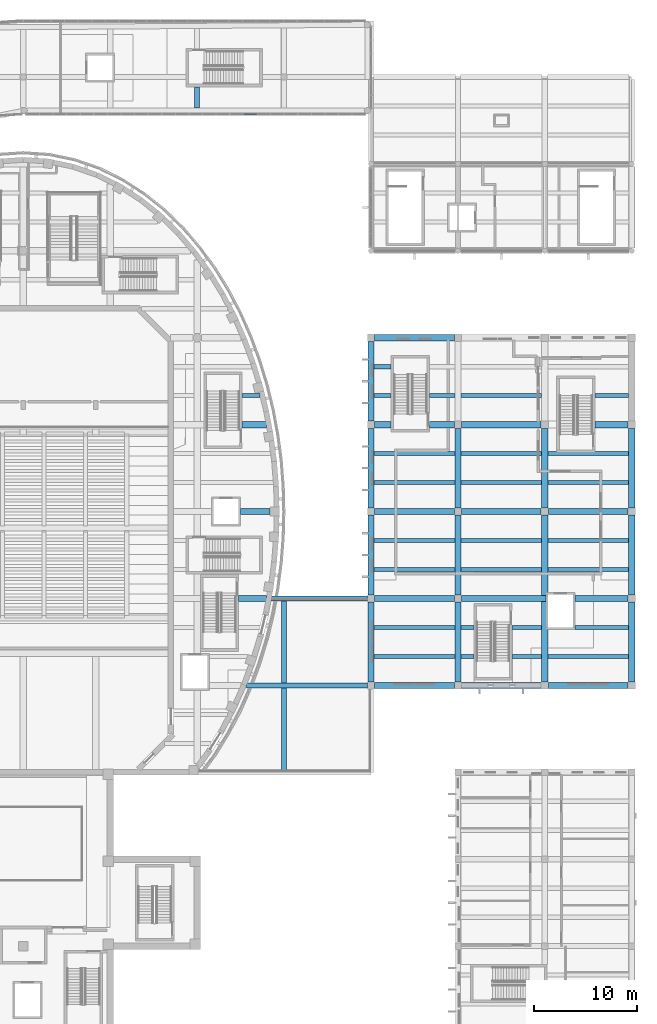
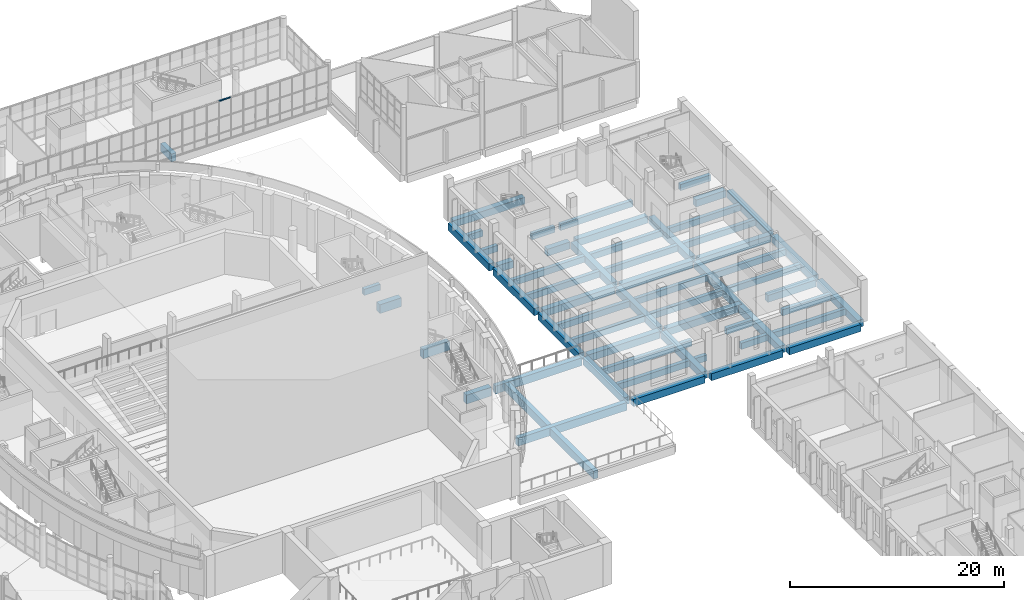
# One storey, part 31 of 119: 59 beams, 1 member, 1 element without a shape of its own.
"""IFC4 building model written with IfcOpenShell, lengths in metres."""

from ifc_helpers import new_model, si_unit, direction, frame, origin, origin_2d, place, context, subcontext, project, spatial, rectangle, extrude, material, layer, layer_set, material_profile, profile_set, type_object, element, aggregate, save


model = new_model("IFC4")

# Units and contexts
model_context = context("Model", 3, precision=1e-05, world=origin(), true_north=direction((0.0, 1.0)))
body_context = subcontext(model_context, "Body", "Model", "MODEL_VIEW")
ifc_project = project(units=[si_unit("LENGTHUNIT", "METRE"), si_unit("AREAUNIT", "SQUARE_METRE"), si_unit("VOLUMEUNIT", "CUBIC_METRE"), si_unit("PLANEANGLEUNIT", "RADIAN"), si_unit("MASSUNIT", "GRAM", prefix="KILO")], contexts=[model_context])

# Site, building, storey
site_placement = place(None, origin())
site = spatial("IfcSite", under=ifc_project, at=site_placement, CompositionType="ELEMENT")
building_placement = place(site_placement, origin())
building = spatial("IfcBuilding", under=site, at=building_placement, Name="Larchfold Concert Hall", CompositionType="ELEMENT")
storey_placement = place(building_placement, frame((0.0, 0.0, 4.800048828125)))
storey = spatial("IfcBuildingStorey", under=building, at=storey_placement, Name="L01", CompositionType="ELEMENT", Elevation=4.800048828125)

# Curtain wall, member
ifc_material_1 = material(Name="Anodised graphite aluminium curtain wall", Category="aluminium")
ifc_layer = layer(ifc_material_1, 0.14990234375)
ifc_layer_set = layer_set([ifc_layer], Name="Anodised graphite aluminium curtain wall")
curtain_wall_type = type_object("IfcCurtainWallType", Name="Curtain wall WG", PredefinedType="NOTDEFINED", material=ifc_layer_set)
curtain_wall_placement = place(storey_placement, origin())
curtain_wall = element("IfcCurtainWall", 1, at=curtain_wall_placement, inside=storey, type_object=curtain_wall_type, Name="Curtain wall CW0169", PredefinedType="NOTDEFINED")
ifc_material_2 = material(Name="Anodised graphite aluminium transom", Category="aluminium")
ifc_material_profile_1 = material_profile(ifc_material_2, rectangle(XDim=0.10009765625, YDim=0.080078125, at=origin_2d()))
ifc_profile_set_1 = profile_set([ifc_material_profile_1], Name="Anodised graphite aluminium transom")
member_type = type_object("IfcMemberType", Name="Aluminium transom 80x100", PredefinedType="USERDEFINED", material=ifc_profile_set_1)
member_placement = place(storey_placement, frame((63.896240234375, 123.0, 4.60986328125), z_axis=(1.0, 0.0, 0.0), x_axis=(0.0, 1.0, 0.0)))
member = element("IfcMember", 2, at=member_placement, type_object=member_type, Name="CW0169 transom 2.4", ObjectType="TRANSOM", PredefinedType="USERDEFINED", context=body_context, shape_type="SweptSolid", body=[
    extrude(rectangle(XDim=0.10009765625, YDim=0.080078125, at=origin_2d()), origin(), (0.0, 0.0, 1.0), 1.254150390625),
])
aggregate(curtain_wall, [member])

# Beams
ifc_material_3 = material(Name="Concrete C35/45", Category="concrete")
ifc_material_profile_2 = material_profile(ifc_material_3, rectangle(XDim=0.39990234375, YDim=0.699951171875, at=origin_2d()))
ifc_profile_set_2 = profile_set([ifc_material_profile_2], Name="Concrete C35/45")
beam_type_1 = type_object("IfcBeamType", Name="Beam RC 400x700", PredefinedType="BEAM", material=ifc_profile_set_2)
beam_1_placement = place(storey_placement, frame((76.5, 70.60009765625, -0.550048828125), z_axis=(1.0, 0.0, 0.0), x_axis=(0.0, 1.0, 0.0)))
element("IfcBeam", 3, at=beam_1_placement, inside=storey, type_object=beam_type_1, Name="Beam B0934", PredefinedType="BEAM", context=body_context, shape_type="SweptSolid", body=[
    extrude(rectangle(XDim=0.39990234375, YDim=0.699951171875, at=origin_2d()), origin(), (0.0, 0.0, 1.0), 7.800048828125),
])
beam_2_placement = place(storey_placement, frame((84.89990234375, 70.60009765625, -0.550048828125), z_axis=(1.0, 0.0, 0.0), x_axis=(0.0, 1.0, 0.0)))
element("IfcBeam", 4, at=beam_2_placement, inside=storey, type_object=beam_type_1, Name="Beam B0935", PredefinedType="BEAM", context=body_context, shape_type="SweptSolid", body=[
    extrude(rectangle(XDim=0.39990234375, YDim=0.699951171875, at=origin_2d()), origin(), (0.0, 0.0, 1.0), 1.25),
])
beam_3_placement = place(storey_placement, frame((89.85009765625, 70.60009765625, -0.550048828125), z_axis=(1.0, 0.0, 0.0), x_axis=(0.0, 1.0, 0.0)))
element("IfcBeam", 5, at=beam_3_placement, inside=storey, type_object=beam_type_1, Name="Beam B0936", PredefinedType="BEAM", context=body_context, shape_type="SweptSolid", body=[
    extrude(rectangle(XDim=0.39990234375, YDim=0.699951171875, at=origin_2d()), origin(), (0.0, 0.0, 1.0), 2.849853515625),
])
for number, where, z_axis, x_axis, name in (
    (6, (93.300048828125, 70.60009765625, -0.550048828125), (1.0, 0.0, 0.0), (0.0, 1.0, 0.0), "Beam B0937"),
    (7, (76.5, 73.39990234375, -0.550048828125), (1.0, 0.0, 0.0), (0.0, 1.0, 0.0), "Beam B0938"),
):
    element("IfcBeam", number, at=place(storey_placement, frame(where, z_axis=z_axis, x_axis=x_axis)), inside=storey, type_object=beam_type_1, Name=name, PredefinedType="BEAM", context=body_context, shape_type="SweptSolid", body=[
        extrude(rectangle(XDim=0.39990234375, YDim=0.699951171875, at=origin_2d()), origin(), (0.0, 0.0, 1.0), 7.800048828125),
    ])
beam_4_placement = place(storey_placement, frame((84.89990234375, 73.39990234375, -0.550048828125), z_axis=(1.0, 0.0, 0.0), x_axis=(0.0, 1.0, 0.0)))
element("IfcBeam", 8, at=beam_4_placement, inside=storey, type_object=beam_type_1, Name="Beam B0939", PredefinedType="BEAM", context=body_context, shape_type="SweptSolid", body=[
    extrude(rectangle(XDim=0.39990234375, YDim=0.699951171875, at=origin_2d()), origin(), (0.0, 0.0, 1.0), 1.25),
])
beam_5_placement = place(storey_placement, frame((89.85009765625, 73.39990234375, -0.550048828125), z_axis=(1.0, 0.0, 0.0), x_axis=(0.0, 1.0, 0.0)))
element("IfcBeam", 9, at=beam_5_placement, inside=storey, type_object=beam_type_1, Name="Beam B0940", PredefinedType="BEAM", context=body_context, shape_type="SweptSolid", body=[
    extrude(rectangle(XDim=0.39990234375, YDim=0.699951171875, at=origin_2d()), origin(), (0.0, 0.0, 1.0), 2.849853515625),
])
beam_6_placement = place(storey_placement, frame((95.89990234375, 73.39990234375, -0.550048828125), z_axis=(1.0, 0.0, 0.0), x_axis=(0.0, 1.0, 0.0)))
element("IfcBeam", 10, at=beam_6_placement, inside=storey, type_object=beam_type_1, Name="Beam B0941", PredefinedType="BEAM", context=body_context, shape_type="SweptSolid", body=[
    extrude(rectangle(XDim=0.39990234375, YDim=0.699951171875, at=origin_2d()), origin(), (0.0, 0.0, 1.0), 5.2001953125),
])
for number, where, z_axis, x_axis, name in (
    (11, (76.5, 79.0, -0.550048828125), (1.0, 0.0, 0.0), (0.0, 1.0, 0.0), "Beam B0942"),
    (12, (84.89990234375, 79.0, -0.550048828125), (1.0, 0.0, 0.0), (0.0, 1.0, 0.0), "Beam B0943"),
    (13, (93.300048828125, 79.0, -0.550048828125), (1.0, 0.0, 0.0), (0.0, 1.0, 0.0), "Beam B0944"),
    (14, (76.5, 81.800048828125, -0.550048828125), (1.0, 0.0, 0.0), (0.0, 1.0, 0.0), "Beam B0945"),
    (15, (84.89990234375, 81.800048828125, -0.550048828125), (1.0, 0.0, 0.0), (0.0, 1.0, 0.0), "Beam B0946"),
    (16, (93.300048828125, 81.800048828125, -0.550048828125), (1.0, 0.0, 0.0), (0.0, 1.0, 0.0), "Beam B0947"),
    (17, (76.5, 87.39990234375, -0.550048828125), (1.0, 0.0, 0.0), (0.0, 1.0, 0.0), "Beam B0948"),
    (18, (84.89990234375, 87.39990234375, -0.550048828125), (1.0, 0.0, 0.0), (0.0, 1.0, 0.0), "Beam B0949"),
    (19, (93.300048828125, 87.39990234375, -0.550048828125), (1.0, 0.0, 0.0), (0.0, 1.0, 0.0), "Beam B0950"),
    (20, (76.5, 90.199951171875, -0.550048828125), (1.0, 0.0, 0.0), (0.0, 1.0, 0.0), "Beam B0951"),
    (21, (84.89990234375, 90.199951171875, -0.550048828125), (1.0, 0.0, 0.0), (0.0, 1.0, 0.0), "Beam B0952"),
    (22, (93.300048828125, 90.199951171875, -0.550048828125), (1.0, 0.0, 0.0), (0.0, 1.0, 0.0), "Beam B0953"),
):
    element("IfcBeam", number, at=place(storey_placement, frame(where, z_axis=z_axis, x_axis=x_axis)), inside=storey, type_object=beam_type_1, Name=name, PredefinedType="BEAM", context=body_context, shape_type="SweptSolid", body=[
        extrude(rectangle(XDim=0.39990234375, YDim=0.699951171875, at=origin_2d()), origin(), (0.0, 0.0, 1.0), 7.800048828125),
    ])
beam_7_placement = place(storey_placement, frame((76.5, 95.800048828125, -0.550048828125), z_axis=(1.0, 0.0, 0.0), x_axis=(0.0, 1.0, 0.0)))
element("IfcBeam", 23, at=beam_7_placement, inside=storey, type_object=beam_type_1, Name="Beam B0954", PredefinedType="BEAM", context=body_context, shape_type="SweptSolid", body=[
    extrude(rectangle(XDim=0.39990234375, YDim=0.699951171875, at=origin_2d()), origin(), (0.0, 0.0, 1.0), 1.64990234375),
])
beam_8_placement = place(storey_placement, frame((81.85009765625, 95.800048828125, -0.550048828125), z_axis=(1.0, 0.0, 0.0), x_axis=(0.0, 1.0, 0.0)))
element("IfcBeam", 24, at=beam_8_placement, inside=storey, type_object=beam_type_1, Name="Beam B0955", PredefinedType="BEAM", context=body_context, shape_type="SweptSolid", body=[
    extrude(rectangle(XDim=0.39990234375, YDim=0.699951171875, at=origin_2d()), origin(), (0.0, 0.0, 1.0), 2.449951171875),
])
beam_9_placement = place(storey_placement, frame((84.89990234375, 95.800048828125, -0.550048828125), z_axis=(1.0, 0.0, 0.0), x_axis=(0.0, 1.0, 0.0)))
element("IfcBeam", 25, at=beam_9_placement, inside=storey, type_object=beam_type_1, Name="Beam B0956", PredefinedType="BEAM", context=body_context, shape_type="SweptSolid", body=[
    extrude(rectangle(XDim=0.39990234375, YDim=0.699951171875, at=origin_2d()), origin(), (0.0, 0.0, 1.0), 7.800048828125),
])
beam_10_placement = place(storey_placement, frame((97.85009765625, 95.800048828125, -0.550048828125), z_axis=(1.0, 0.0, 0.0), x_axis=(0.0, 1.0, 0.0)))
element("IfcBeam", 26, at=beam_10_placement, inside=storey, type_object=beam_type_1, Name="Beam B0957", PredefinedType="BEAM", context=body_context, shape_type="SweptSolid", body=[
    extrude(rectangle(XDim=0.39990234375, YDim=0.699951171875, at=origin_2d()), origin(), (0.0, 0.0, 1.0), 3.25),
])
beam_11_placement = place(storey_placement, frame((76.5, 98.60009765625, -0.550048828125), z_axis=(1.0, 0.0, 0.0), x_axis=(0.0, 1.0, 0.0)))
element("IfcBeam", 27, at=beam_11_placement, inside=storey, type_object=beam_type_1, Name="Beam B0958", PredefinedType="BEAM", context=body_context, shape_type="SweptSolid", body=[
    extrude(rectangle(XDim=0.39990234375, YDim=0.699951171875, at=origin_2d()), origin(), (0.0, 0.0, 1.0), 1.64990234375),
])
beam_12_placement = place(storey_placement, frame((63.75, 95.800048828125, -0.550048828125), z_axis=(1.0, 0.0, 0.0), x_axis=(0.0, 1.0, 0.0)))
element("IfcBeam", 28, at=beam_12_placement, inside=storey, type_object=beam_type_1, Name="Beam B1248", PredefinedType="BEAM", context=body_context, shape_type="SweptSolid", body=[
    extrude(rectangle(XDim=0.39990234375, YDim=0.699951171875, at=origin_2d()), origin(), (0.0, 0.0, 1.0), 1.72998046875),
])
ifc_material_4 = material(Name="Concrete C35/45", Category="concrete")
ifc_material_profile_3 = material_profile(ifc_material_4, rectangle(XDim=0.5, YDim=0.89990234375, at=origin_2d()))
ifc_profile_set_3 = profile_set([ifc_material_profile_3], Name="Concrete C35/45")
beam_type_2 = type_object("IfcBeamType", Name="Beam RC 500x900", PredefinedType="BEAM", material=ifc_profile_set_3)
beam_13_placement = place(storey_placement, frame((67.800048828125, 59.3798828125, -0.75), z_axis=(0.0, 1.0, 0.0), x_axis=(-1.0, 0.0, 0.0)))
element("IfcBeam", 29, at=beam_13_placement, inside=storey, type_object=beam_type_2, Name="Beam B1856", PredefinedType="BEAM", context=body_context, shape_type="SweptSolid", body=[
    extrude(rectangle(XDim=0.5, YDim=0.89990234375, at=origin_2d()), origin(), (0.0, 0.0, 1.0), 16.840087890625),
])
beam_14_placement = place(storey_placement, frame((64.147705078125, 67.800048828125, -0.75), z_axis=(1.0, 0.0, 0.0), x_axis=(0.0, 1.0, 0.0)))
element("IfcBeam", 30, at=beam_14_placement, inside=storey, type_object=beam_type_2, Name="Beam B1860", PredefinedType="BEAM", context=body_context, shape_type="SweptSolid", body=[
    extrude(rectangle(XDim=0.5, YDim=0.89990234375, at=origin_2d()), origin(), (0.0, 0.0, 1.0), 11.702392578125),
])
beam_15_placement = place(storey_placement, frame((66.557861328125, 76.199951171875, -0.75), z_axis=(1.0, 0.0, 0.0), x_axis=(0.0, 1.0, 0.0)))
element("IfcBeam", 31, at=beam_15_placement, inside=storey, type_object=beam_type_2, Name="Beam B1861", PredefinedType="BEAM", context=body_context, shape_type="SweptSolid", body=[
    extrude(rectangle(XDim=0.5, YDim=0.89990234375, at=origin_2d()), origin(), (0.0, 0.0, 1.0), 9.292236328125),
])
beam_16_placement = place(storey_placement, frame((59.39990234375, 123.60009765625, -0.60009765625), z_axis=(0.0, 1.0, 0.0), x_axis=(-1.0, 0.0, 0.0)))
element("IfcBeam", 32, at=beam_16_placement, inside=storey, type_object=beam_type_2, Name="Beam B1907", PredefinedType="BEAM", context=body_context, shape_type="SweptSolid", body=[
    extrude(rectangle(XDim=0.5, YDim=0.89990234375, at=origin_2d()), origin(), (0.0, 0.0, 1.0), 2.0498046875),
])
ifc_material_5 = material(Name="Concrete C35/45", Category="concrete")
ifc_material_profile_4 = material_profile(ifc_material_5, rectangle(XDim=0.60009765625, YDim=1.0, at=origin_2d()))
ifc_profile_set_4 = profile_set([ifc_material_profile_4], Name="Concrete C35/45")
beam_type_3 = type_object("IfcBeamType", Name="Beam RC 600x1000", PredefinedType="BEAM", material=ifc_profile_set_4)
beam_17_placement = place(storey_placement, frame((63.39990234375, 76.199951171875, -0.699951171875), z_axis=(1.0, 0.0, 0.0), x_axis=(0.0, 1.0, 0.0)))
element("IfcBeam", 33, at=beam_17_placement, inside=storey, type_object=beam_type_3, Name="Beam B1202", PredefinedType="BEAM", context=body_context, shape_type="SweptSolid", body=[
    extrude(rectangle(XDim=0.60009765625, YDim=1.0, at=origin_2d()), origin(), (0.0, 0.0, 1.0), 2.68994140625),
])
beam_18_placement = place(storey_placement, frame((63.60009765625, 84.60009765625, -0.699951171875), z_axis=(1.0, 0.0, 0.0), x_axis=(0.0, 1.0, 0.0)))
element("IfcBeam", 34, at=beam_18_placement, inside=storey, type_object=beam_type_3, Name="Beam B1206", PredefinedType="BEAM", context=body_context, shape_type="SweptSolid", body=[
    extrude(rectangle(XDim=0.60009765625, YDim=1.0, at=origin_2d()), origin(), (0.0, 0.0, 1.0), 2.85009765625),
])
beam_19_placement = place(storey_placement, frame((63.75, 93.0, -0.699951171875), z_axis=(1.0, 0.0, 0.0), x_axis=(0.0, 1.0, 0.0)))
element("IfcBeam", 35, at=beam_19_placement, inside=storey, type_object=beam_type_3, Name="Beam B1210", PredefinedType="BEAM", context=body_context, shape_type="SweptSolid", body=[
    extrude(rectangle(XDim=0.60009765625, YDim=1.0, at=origin_2d()), origin(), (0.0, 0.0, 1.0), 2.33984375),
])
ifc_material_6 = material(Name="Concrete C35/45", Category="concrete")
ifc_material_profile_5 = material_profile(ifc_material_6, rectangle(XDim=0.60009765625, YDim=0.800048828125, at=origin_2d()))
ifc_profile_set_5 = profile_set([ifc_material_profile_5], Name="Concrete C35/45")
beam_type_4 = type_object("IfcBeamType", Name="Beam RC 600x800", PredefinedType="BEAM", material=ifc_profile_set_5)
beam_20_placement = place(storey_placement, frame((76.199951171875, 68.14990234375, -0.60009765625), z_axis=(0.0, 1.0, 0.0), x_axis=(-1.0, 0.0, 0.0)))
element("IfcBeam", 36, at=beam_20_placement, inside=storey, type_object=beam_type_4, Name="Beam B0903", PredefinedType="BEAM", context=body_context, shape_type="SweptSolid", body=[
    extrude(rectangle(XDim=0.60009765625, YDim=0.800048828125, at=origin_2d()), origin(), (0.0, 0.0, 1.0), 7.7001953125),
])
for number, where, z_axis, x_axis, name in (
    (37, (76.199951171875, 76.550048828125, -0.60009765625), (0.0, 1.0, 0.0), (-1.0, 0.0, 0.0), "Beam B0904"),
    (38, (76.199951171875, 84.949951171875, -0.60009765625), (0.0, 1.0, 0.0), (-1.0, 0.0, 0.0), "Beam B0905"),
    (39, (76.199951171875, 93.35009765625, -0.60009765625), (0.0, 1.0, 0.0), (-1.0, 0.0, 0.0), "Beam B0906"),
):
    element("IfcBeam", number, at=place(storey_placement, frame(where, z_axis=z_axis, x_axis=x_axis)), inside=storey, type_object=beam_type_4, Name=name, PredefinedType="BEAM", context=body_context, shape_type="SweptSolid", body=[
        extrude(rectangle(XDim=0.60009765625, YDim=0.800048828125, at=origin_2d()), origin(), (0.0, 0.0, 1.0), 7.699951171875),
    ])
beam_21_placement = place(storey_placement, frame((84.60009765625, 68.14990234375, -0.60009765625), z_axis=(0.0, 1.0, 0.0), x_axis=(-1.0, 0.0, 0.0)))
element("IfcBeam", 40, at=beam_21_placement, inside=storey, type_object=beam_type_4, Name="Beam B0907", PredefinedType="BEAM", context=body_context, shape_type="SweptSolid", body=[
    extrude(rectangle(XDim=0.60009765625, YDim=0.800048828125, at=origin_2d()), origin(), (0.0, 0.0, 1.0), 7.7001953125),
])
for number, where, z_axis, x_axis, name in (
    (41, (84.60009765625, 76.550048828125, -0.60009765625), (0.0, 1.0, 0.0), (-1.0, 0.0, 0.0), "Beam B0908"),
    (42, (84.60009765625, 84.949951171875, -0.60009765625), (0.0, 1.0, 0.0), (-1.0, 0.0, 0.0), "Beam B0909"),
):
    element("IfcBeam", number, at=place(storey_placement, frame(where, z_axis=z_axis, x_axis=x_axis)), inside=storey, type_object=beam_type_4, Name=name, PredefinedType="BEAM", context=body_context, shape_type="SweptSolid", body=[
        extrude(rectangle(XDim=0.60009765625, YDim=0.800048828125, at=origin_2d()), origin(), (0.0, 0.0, 1.0), 7.699951171875),
    ])
beam_22_placement = place(storey_placement, frame((93.0, 68.14990234375, -0.60009765625), z_axis=(0.0, 1.0, 0.0), x_axis=(-1.0, 0.0, 0.0)))
element("IfcBeam", 43, at=beam_22_placement, inside=storey, type_object=beam_type_4, Name="Beam B0911", PredefinedType="BEAM", context=body_context, shape_type="SweptSolid", body=[
    extrude(rectangle(XDim=0.60009765625, YDim=0.800048828125, at=origin_2d()), origin(), (0.0, 0.0, 1.0), 16.10009765625),
])
beam_23_placement = place(storey_placement, frame((93.0, 84.949951171875, -0.60009765625), z_axis=(0.0, 1.0, 0.0), x_axis=(-1.0, 0.0, 0.0)))
element("IfcBeam", 44, at=beam_23_placement, inside=storey, type_object=beam_type_4, Name="Beam B0912", PredefinedType="BEAM", context=body_context, shape_type="SweptSolid", body=[
    extrude(rectangle(XDim=0.60009765625, YDim=0.800048828125, at=origin_2d()), origin(), (0.0, 0.0, 1.0), 7.699951171875),
])
beam_24_placement = place(storey_placement, frame((101.39990234375, 68.14990234375, -0.60009765625), z_axis=(0.0, 1.0, 0.0), x_axis=(-1.0, 0.0, 0.0)))
element("IfcBeam", 45, at=beam_24_placement, inside=storey, type_object=beam_type_4, Name="Beam B0914", PredefinedType="BEAM", context=body_context, shape_type="SweptSolid", body=[
    extrude(rectangle(XDim=0.60009765625, YDim=0.800048828125, at=origin_2d()), origin(), (0.0, 0.0, 1.0), 7.7001953125),
])
for number, where, z_axis, x_axis, name in (
    (46, (101.39990234375, 76.550048828125, -0.60009765625), (0.0, 1.0, 0.0), (-1.0, 0.0, 0.0), "Beam B0915"),
    (47, (101.39990234375, 84.949951171875, -0.60009765625), (0.0, 1.0, 0.0), (-1.0, 0.0, 0.0), "Beam B0916"),
    (48, (76.550048828125, 67.800048828125, -0.60009765625), (1.0, 0.0, 0.0), (0.0, 1.0, 0.0), "Beam B0918"),
    (49, (84.949951171875, 67.800048828125, -0.60009765625), (1.0, 0.0, 0.0), (0.0, 1.0, 0.0), "Beam B0919"),
    (50, (93.35009765625, 67.800048828125, -0.60009765625), (1.0, 0.0, 0.0), (0.0, 1.0, 0.0), "Beam B0920"),
    (51, (76.550048828125, 76.199951171875, -0.60009765625), (1.0, 0.0, 0.0), (0.0, 1.0, 0.0), "Beam B0921"),
):
    element("IfcBeam", number, at=place(storey_placement, frame(where, z_axis=z_axis, x_axis=x_axis)), inside=storey, type_object=beam_type_4, Name=name, PredefinedType="BEAM", context=body_context, shape_type="SweptSolid", body=[
        extrude(rectangle(XDim=0.60009765625, YDim=0.800048828125, at=origin_2d()), origin(), (0.0, 0.0, 1.0), 7.699951171875),
    ])
beam_25_placement = place(storey_placement, frame((84.949951171875, 76.199951171875, -0.60009765625), z_axis=(1.0, 0.0, 0.0), x_axis=(0.0, 1.0, 0.0)))
element("IfcBeam", 52, at=beam_25_placement, inside=storey, type_object=beam_type_4, Name="Beam B0922", PredefinedType="BEAM", context=body_context, shape_type="SweptSolid", body=[
    extrude(rectangle(XDim=0.60009765625, YDim=0.800048828125, at=origin_2d()), origin(), (0.0, 0.0, 1.0), 8.150146484375),
])
beam_26_placement = place(storey_placement, frame((95.89990234375, 76.199951171875, -0.60009765625), z_axis=(1.0, 0.0, 0.0), x_axis=(0.0, 1.0, 0.0)))
element("IfcBeam", 53, at=beam_26_placement, inside=storey, type_object=beam_type_4, Name="Beam B0923", PredefinedType="BEAM", context=body_context, shape_type="SweptSolid", body=[
    extrude(rectangle(XDim=0.60009765625, YDim=0.800048828125, at=origin_2d()), origin(), (0.0, 0.0, 1.0), 5.150146484375),
])
for number, where, z_axis, x_axis, name in (
    (54, (76.550048828125, 84.60009765625, -0.60009765625), (1.0, 0.0, 0.0), (0.0, 1.0, 0.0), "Beam B0924"),
    (55, (84.949951171875, 84.60009765625, -0.60009765625), (1.0, 0.0, 0.0), (0.0, 1.0, 0.0), "Beam B0925"),
    (56, (93.35009765625, 84.60009765625, -0.60009765625), (1.0, 0.0, 0.0), (0.0, 1.0, 0.0), "Beam B0926"),
):
    element("IfcBeam", number, at=place(storey_placement, frame(where, z_axis=z_axis, x_axis=x_axis)), inside=storey, type_object=beam_type_4, Name=name, PredefinedType="BEAM", context=body_context, shape_type="SweptSolid", body=[
        extrude(rectangle(XDim=0.60009765625, YDim=0.800048828125, at=origin_2d()), origin(), (0.0, 0.0, 1.0), 7.699951171875),
    ])
beam_27_placement = place(storey_placement, frame((76.550048828125, 93.0, -0.60009765625), z_axis=(1.0, 0.0, 0.0), x_axis=(0.0, 1.0, 0.0)))
element("IfcBeam", 57, at=beam_27_placement, inside=storey, type_object=beam_type_4, Name="Beam B0927", PredefinedType="BEAM", context=body_context, shape_type="SweptSolid", body=[
    extrude(rectangle(XDim=0.60009765625, YDim=0.800048828125, at=origin_2d()), origin(), (0.0, 0.0, 1.0), 1.599853515625),
])
beam_28_placement = place(storey_placement, frame((81.85009765625, 93.0, -0.60009765625), z_axis=(1.0, 0.0, 0.0), x_axis=(0.0, 1.0, 0.0)))
element("IfcBeam", 58, at=beam_28_placement, inside=storey, type_object=beam_type_4, Name="Beam B0928", PredefinedType="BEAM", context=body_context, shape_type="SweptSolid", body=[
    extrude(rectangle(XDim=0.60009765625, YDim=0.800048828125, at=origin_2d()), origin(), (0.0, 0.0, 1.0), 2.39990234375),
])
beam_29_placement = place(storey_placement, frame((84.949951171875, 93.0, -0.60009765625), z_axis=(1.0, 0.0, 0.0), x_axis=(0.0, 1.0, 0.0)))
element("IfcBeam", 59, at=beam_29_placement, inside=storey, type_object=beam_type_4, Name="Beam B0929", PredefinedType="BEAM", context=body_context, shape_type="SweptSolid", body=[
    extrude(rectangle(XDim=0.60009765625, YDim=0.800048828125, at=origin_2d()), origin(), (0.0, 0.0, 1.0), 7.699951171875),
])
beam_30_placement = place(storey_placement, frame((97.85009765625, 93.0, -0.60009765625), z_axis=(1.0, 0.0, 0.0), x_axis=(0.0, 1.0, 0.0)))
element("IfcBeam", 60, at=beam_30_placement, inside=storey, type_object=beam_type_4, Name="Beam B0930", PredefinedType="BEAM", context=body_context, shape_type="SweptSolid", body=[
    extrude(rectangle(XDim=0.60009765625, YDim=0.800048828125, at=origin_2d()), origin(), (0.0, 0.0, 1.0), 3.199951171875),
])
beam_31_placement = place(storey_placement, frame((76.550048828125, 101.39990234375, -0.60009765625), z_axis=(1.0, 0.0, 0.0), x_axis=(0.0, 1.0, 0.0)))
element("IfcBeam", 61, at=beam_31_placement, inside=storey, type_object=beam_type_4, Name="Beam B0931", PredefinedType="BEAM", context=body_context, shape_type="SweptSolid", body=[
    extrude(rectangle(XDim=0.60009765625, YDim=0.800048828125, at=origin_2d()), origin(), (0.0, 0.0, 1.0), 7.699951171875),
])

save(model, "model.ifc")
